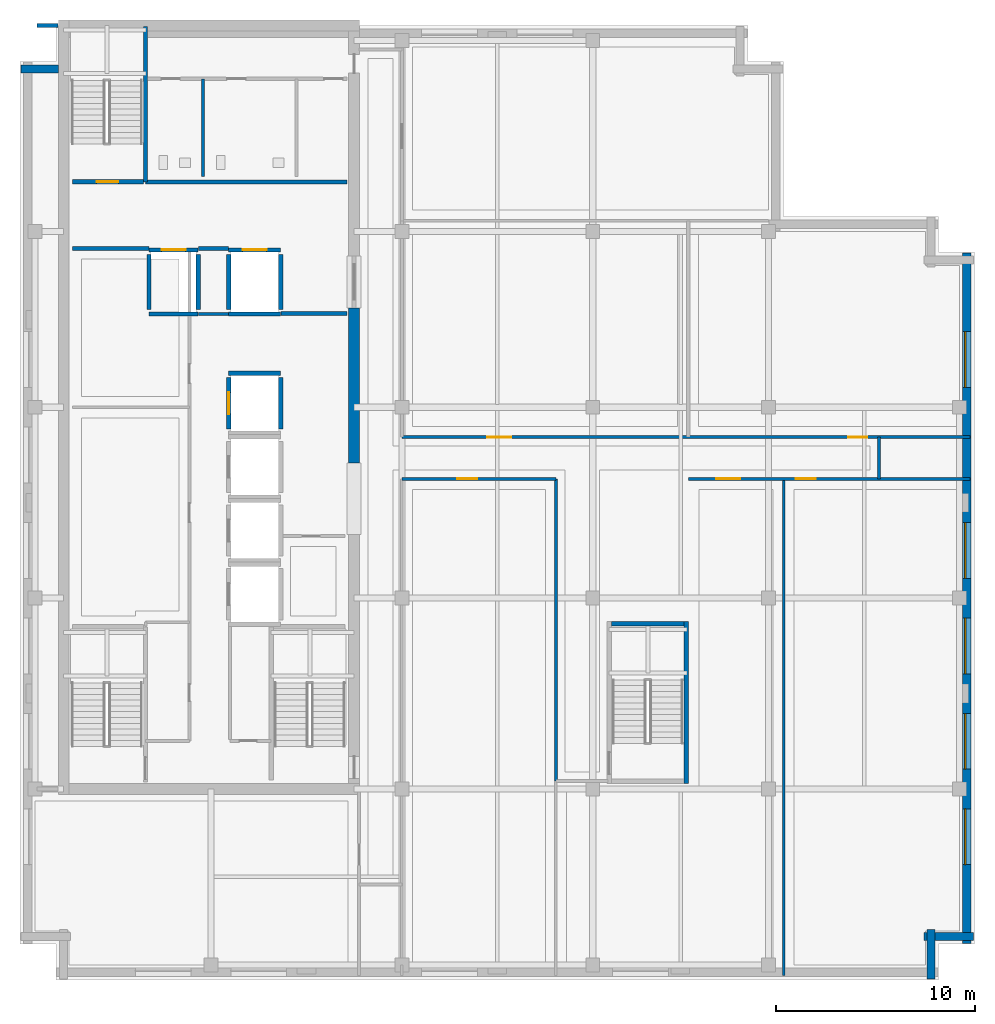
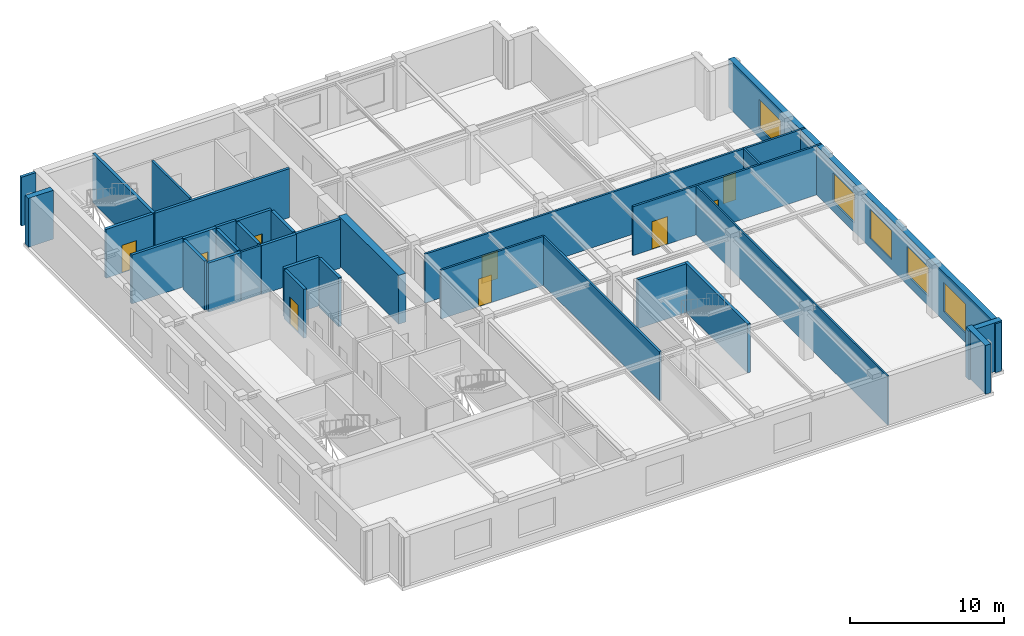
# One storey, part 4 of 10: 33 walls, 9 doors, 5 windows, 14 openings.
"""IFC4 building model written with IfcOpenShell, lengths in metres."""

from ifc_helpers import new_model, si_unit, direction, frame, frame_2d, origin, place, context, subcontext, project, spatial, rectangle, extrude, material, layer, layer_set, type_object, element, fill, save


model = new_model("IFC4")

# Units and contexts
model_context = context("Model", 3, precision=1e-05, world=origin(), true_north=direction((0.0, 1.0)))
body_context = subcontext(model_context, "Body", "Model", "MODEL_VIEW")
ifc_project = project(units=[si_unit("LENGTHUNIT", "METRE"), si_unit("AREAUNIT", "SQUARE_METRE"), si_unit("VOLUMEUNIT", "CUBIC_METRE"), si_unit("PLANEANGLEUNIT", "RADIAN"), si_unit("MASSUNIT", "GRAM", prefix="KILO")], contexts=[model_context])

# Site, building, storey
site_placement = place(None, origin())
site = spatial("IfcSite", under=ifc_project, at=site_placement, CompositionType="ELEMENT")
building_placement = place(site_placement, origin())
building = spatial("IfcBuilding", under=site, at=building_placement, Name="Norrvale University Quadrangle", CompositionType="ELEMENT")
storey_placement = place(building_placement, frame((0.0, 0.0, 303.800048828125)))
storey = spatial("IfcBuildingStorey", under=building, at=storey_placement, Name="L77", CompositionType="ELEMENT", Elevation=303.800048828125)

# Walls
ifc_material_1 = material(Name="Buff Norman Clay Brick Masonry", Category="masonry")
ifc_layer_1 = layer(ifc_material_1, 0.419921875, Name="Buff Norman Clay Brick Masonry")
ifc_layer_set_1 = layer_set([ifc_layer_1], Name="Buff Norman Clay Brick Masonry")
wall_type_1 = type_object("IfcWallType", Name="Wall Buff Brick 420", PredefinedType="SOLIDWALL", material=ifc_layer_set_1)
for number, where, z_axis, x_axis, name in (
    (1, (45.81005859375, 0.0400390625, 0.0), (0.0, 0.0, 1.0), (0.0, 1.0, 0.0), "Exterior Brick Facade Wall L77-02.1"),
    (2, (45.4599609375, 2.18994140625, 0.0), (0.0, 0.0, 1.0), (1.0, 0.0, 0.0), "Exterior Brick Facade Wall L77-03.1"),
):
    element("IfcWall", number, at=place(storey_placement, frame(where, z_axis=z_axis, x_axis=x_axis)), inside=storey, type_object=wall_type_1, Name=name, PredefinedType="SOLIDWALL", context=body_context, shape_type="SweptSolid", body=[
        extrude(rectangle(XDim=2.5, YDim=0.419921875, at=frame_2d((1.25, 0.0))), origin(), (0.0, 0.0, 1.0), 3.8798828125),
    ])

# Wall, openings, windows
wall_1_placement = place(storey_placement, frame((47.610107421875, 1.840087890625, 0.0), z_axis=(0.0, 0.0, 1.0), x_axis=(0.0, 1.0, 0.0)))
wall_1 = element("IfcWall", 3, at=wall_1_placement, inside=storey, type_object=wall_type_1, Name="Exterior Brick Facade Wall L77-04.1", PredefinedType="SOLIDWALL", context=body_context, shape_type="SweptSolid", body=[
    extrude(rectangle(XDim=34.719970703125, YDim=0.419921875, at=frame_2d((17.35986328125, 0.0))), origin(), (0.0, 0.0, 1.0), 3.8798828125),
])
opening_1_placement = place(wall_1_placement, frame((3.9599609375, 0.0, 0.75)))
opening_1 = element("IfcOpeningElement", 4, at=opening_1_placement, cuts=wall_1, Name="Opening W05", PredefinedType="OPENING", context=body_context, shape_type="SweptSolid", body=[
    extrude(rectangle(XDim=2.800048828125, YDim=2.300048828125, at=frame_2d((1.39990234375, 1.14990234375))), frame((0.0, 0.221923828125, 0.0), z_axis=(0.0, -1.0, 0.0), x_axis=(1.0, 0.0, 0.0)), (0.0, 0.0, 1.0), 0.44384765625),
])
opening_2_placement = place(wall_1_placement, frame((8.760009765625, 0.0, 0.75)))
opening_2 = element("IfcOpeningElement", 5, at=opening_2_placement, cuts=wall_1, Name="Opening W05", PredefinedType="OPENING", context=body_context, shape_type="SweptSolid", body=[
    extrude(rectangle(XDim=2.800048828125, YDim=2.300048828125, at=frame_2d((1.39990234375, 1.14990234375))), frame((0.0, 0.221923828125, 0.0), z_axis=(0.0, -1.0, 0.0), x_axis=(1.0, 0.0, 0.0)), (0.0, 0.0, 1.0), 0.44384765625),
])
opening_3_placement = place(wall_1_placement, frame((13.56005859375, 0.0, 0.75)))
opening_3 = element("IfcOpeningElement", 6, at=opening_3_placement, cuts=wall_1, Name="Opening W05", PredefinedType="OPENING", context=body_context, shape_type="SweptSolid", body=[
    extrude(rectangle(XDim=2.800048828125, YDim=2.300048828125, at=frame_2d((1.39990234375, 1.14990234375))), frame((0.0, 0.221923828125, 0.0), z_axis=(0.0, -1.0, 0.0), x_axis=(1.0, 0.0, 0.0)), (0.0, 0.0, 1.0), 0.44384765625),
])
opening_4_placement = place(wall_1_placement, frame((18.360107421875, 0.0, 0.75)))
opening_4 = element("IfcOpeningElement", 7, at=opening_4_placement, cuts=wall_1, Name="Opening W05", PredefinedType="OPENING", context=body_context, shape_type="SweptSolid", body=[
    extrude(rectangle(XDim=2.800048828125, YDim=2.300048828125, at=frame_2d((1.39990234375, 1.14990234375))), frame((0.0, 0.221923828125, 0.0), z_axis=(0.0, -1.0, 0.0), x_axis=(1.0, 0.0, 0.0)), (0.0, 0.0, 1.0), 0.44384765625),
])
opening_5_placement = place(wall_1_placement, frame((27.9599609375, 0.0, 0.75)))
opening_5 = element("IfcOpeningElement", 8, at=opening_5_placement, cuts=wall_1, Name="Opening W05", PredefinedType="OPENING", context=body_context, shape_type="SweptSolid", body=[
    extrude(rectangle(XDim=2.800048828125, YDim=2.300048828125, at=frame_2d((1.39990234375, 1.14990234375))), frame((0.0, 0.221923828125, 0.0), z_axis=(0.0, -1.0, 0.0), x_axis=(1.0, 0.0, 0.0)), (0.0, 0.0, 1.0), 0.44384765625),
])
ifc_material_2 = material(Name="Bird-Friendly Fritted Triple Glazing", Category="glass")
window_type = type_object("IfcWindowType", Name="Window Podium 2800x2800", PartitioningType="TRIPLE_PANEL_VERTICAL", PredefinedType="WINDOW", material=ifc_material_2)
window_1_placement = place(opening_1_placement, origin())
window_1 = element("IfcWindow", 9, at=window_1_placement, inside=storey, type_object=window_type, Name="Window Podium 2800x2800 WIN-L77-E04-1-01", OverallHeight=2.300048828125, OverallWidth=2.800048828125, PartitioningType="TRIPLE_PANEL_VERTICAL", PredefinedType="WINDOW", context=body_context, shape_type="SweptSolid", body=[
    extrude(rectangle(XDim=2.800048828125, YDim=2.300048828125, at=frame_2d((1.39990234375, 1.14990234375))), frame((0.0, 0.110107421875, 0.0), z_axis=(0.0, -1.0, 0.0), x_axis=(1.0, 0.0, 0.0)), (0.0, 0.0, 1.0), 0.06005859375),
])
fill(opening_1, window_1)
window_2_placement = place(opening_2_placement, origin())
window_2 = element("IfcWindow", 10, at=window_2_placement, inside=storey, type_object=window_type, Name="Window Podium 2800x2800 WIN-L77-E04-1-02", OverallHeight=2.300048828125, OverallWidth=2.800048828125, PartitioningType="TRIPLE_PANEL_VERTICAL", PredefinedType="WINDOW", context=body_context, shape_type="SweptSolid", body=[
    extrude(rectangle(XDim=2.800048828125, YDim=2.300048828125, at=frame_2d((1.39990234375, 1.14990234375))), frame((0.0, 0.110107421875, 0.0), z_axis=(0.0, -1.0, 0.0), x_axis=(1.0, 0.0, 0.0)), (0.0, 0.0, 1.0), 0.06005859375),
])
fill(opening_2, window_2)
window_3_placement = place(opening_3_placement, origin())
window_3 = element("IfcWindow", 11, at=window_3_placement, inside=storey, type_object=window_type, Name="Window Podium 2800x2800 WIN-L77-E04-1-03", OverallHeight=2.300048828125, OverallWidth=2.800048828125, PartitioningType="TRIPLE_PANEL_VERTICAL", PredefinedType="WINDOW", context=body_context, shape_type="SweptSolid", body=[
    extrude(rectangle(XDim=2.800048828125, YDim=2.300048828125, at=frame_2d((1.39990234375, 1.14990234375))), frame((0.0, 0.110107421875, 0.0), z_axis=(0.0, -1.0, 0.0), x_axis=(1.0, 0.0, 0.0)), (0.0, 0.0, 1.0), 0.06005859375),
])
fill(opening_3, window_3)
window_4_placement = place(opening_4_placement, origin())
window_4 = element("IfcWindow", 12, at=window_4_placement, inside=storey, type_object=window_type, Name="Window Podium 2800x2800 WIN-L77-E04-1-04", OverallHeight=2.300048828125, OverallWidth=2.800048828125, PartitioningType="TRIPLE_PANEL_VERTICAL", PredefinedType="WINDOW", context=body_context, shape_type="SweptSolid", body=[
    extrude(rectangle(XDim=2.800048828125, YDim=2.300048828125, at=frame_2d((1.39990234375, 1.14990234375))), frame((0.0, 0.110107421875, 0.0), z_axis=(0.0, -1.0, 0.0), x_axis=(1.0, 0.0, 0.0)), (0.0, 0.0, 1.0), 0.06005859375),
])
fill(opening_4, window_4)
window_5_placement = place(opening_5_placement, origin())
window_5 = element("IfcWindow", 13, at=window_5_placement, inside=storey, type_object=window_type, Name="Window Podium 2800x2800 WIN-L77-E04-1-05", OverallHeight=2.300048828125, OverallWidth=2.800048828125, PartitioningType="TRIPLE_PANEL_VERTICAL", PredefinedType="WINDOW", context=body_context, shape_type="SweptSolid", body=[
    extrude(rectangle(XDim=2.800048828125, YDim=2.300048828125, at=frame_2d((1.39990234375, 1.14990234375))), frame((0.0, 0.110107421875, 0.0), z_axis=(0.0, -1.0, 0.0), x_axis=(1.0, 0.0, 0.0)), (0.0, 0.0, 1.0), 0.06005859375),
])
fill(opening_5, window_5)

# Walls
wall_2_placement = place(storey_placement, frame((1.925048828125, 45.81005859375, 0.0), z_axis=(0.0, 0.0, 1.0), x_axis=(-1.0, 0.0, 0.0)))
element("IfcWall", 14, at=wall_2_placement, inside=storey, type_object=wall_type_1, Name="Exterior Brick Facade Wall L77-13.1", PredefinedType="SOLIDWALL", context=body_context, shape_type="SweptSolid", body=[
    extrude(rectangle(XDim=1.885009765625, YDim=0.419921875, at=frame_2d((0.9423828125, 0.0))), origin(), (0.0, 0.0, 1.0), 3.8798828125),
])
ifc_material_3 = material(Name="Concrete C60/75", Category="concrete")
ifc_layer_2 = layer(ifc_material_3, 0.550048828125, Name="Concrete C60/75")
ifc_layer_set_2 = layer_set([ifc_layer_2], Name="Concrete C60/75")
wall_type_2 = type_object("IfcWallType", Name="Wall Core 550", PredefinedType="SHEAR", material=ifc_layer_set_2)
wall_3_placement = place(storey_placement, frame((16.800048828125, 26.0, 0.0), z_axis=(0.0, 0.0, 1.0), x_axis=(0.0, 1.0, 0.0)))
element("IfcWall", 15, at=wall_3_placement, inside=storey, type_object=wall_type_2, Name="Tower Core Shear Wall L77-E2", PredefinedType="SHEAR", context=body_context, shape_type="SweptSolid", body=[
    extrude(rectangle(XDim=7.800048828125, YDim=0.550048828125, at=frame_2d((3.89990234375, 0.0))), origin(), (0.0, 0.0, 1.0), 3.8798828125),
])
ifc_material_4 = material(Name="Standard Academic Gypsum Partition")
ifc_layer_3 = layer(ifc_material_4, 0.125, Name="Standard Academic Gypsum Partition")
ifc_layer_set_3 = layer_set([ifc_layer_3], Name="Standard Academic Gypsum Partition")
wall_type_3 = type_object("IfcWallType", Name="Wall Gypsum Academic 125", PredefinedType="PARTITIONING", material=ifc_layer_set_3)
wall_4_placement = place(storey_placement, frame((38.39990234375, 0.219970703125, 0.0), z_axis=(0.0, 0.0, 1.0), x_axis=(0.0, 1.0, 0.0)))
element("IfcWall", 16, at=wall_4_placement, inside=storey, type_object=wall_type_3, Name="Interior Partition WL-L77-SEP2", PredefinedType="PARTITIONING", context=body_context, shape_type="SweptSolid", body=[
    extrude(rectangle(XDim=24.97998046875, YDim=0.125, at=frame_2d((12.489990234375, 0.0))), origin(), (0.0, 0.0, 1.0), 3.8798828125),
])
ifc_material_5 = material(Name="Fire-Rated Gypsum Stud Partition")
ifc_layer_4 = layer(ifc_material_5, 0.14990234375, Name="Fire-Rated Gypsum Stud Partition")
ifc_layer_set_4 = layer_set([ifc_layer_4], Name="Fire-Rated Gypsum Stud Partition")
wall_type_4 = type_object("IfcWallType", Name="Wall Gypsum Corridor 150", PredefinedType="PARTITIONING", material=ifc_layer_set_4)
wall_5_placement = place(storey_placement, frame((8.965087890625, 33.489990234375, 0.0), z_axis=(0.0, 0.0, 1.0), x_axis=(1.0, 0.0, 0.0)))
element("IfcWall", 17, at=wall_5_placement, inside=storey, type_object=wall_type_4, Name="Interior Partition WL-L77-LL3", PredefinedType="PARTITIONING", context=body_context, shape_type="SweptSolid", body=[
    extrude(rectangle(XDim=1.52001953125, YDim=0.14990234375, at=frame_2d((0.760009765625, 0.0))), origin(), (0.0, 0.0, 1.0), 3.8798828125),
])
wall_6_placement = place(storey_placement, frame((43.199951171875, 25.199951171875, 0.0), z_axis=(0.0, 0.0, 1.0), x_axis=(0.0, 1.0, 0.0)))
element("IfcWall", 18, at=wall_6_placement, inside=storey, type_object=wall_type_4, Name="Interior Partition WL-L77-CESP-E", PredefinedType="PARTITIONING", context=body_context, shape_type="SweptSolid", body=[
    extrude(rectangle(XDim=2.10009765625, YDim=0.14990234375, at=frame_2d((1.050048828125, 0.0))), origin(), (0.0, 0.0, 1.0), 3.8798828125),
])

# Wall, opening, door
wall_7_placement = place(storey_placement, frame((19.199951171875, 25.199951171875, 0.0), z_axis=(0.0, 0.0, 1.0), x_axis=(1.0, 0.0, 0.0)))
wall_7 = element("IfcWall", 19, at=wall_7_placement, inside=storey, type_object=wall_type_4, Name="Interior Partition WL-L77-SEW1", PredefinedType="PARTITIONING", context=body_context, shape_type="SweptSolid", body=[
    extrude(rectangle(XDim=7.75, YDim=0.14990234375, at=frame_2d((3.875, 0.0))), origin(), (0.0, 0.0, 1.0), 3.8798828125),
])
opening_6_placement = place(wall_7_placement, frame((2.800048828125, 0.0, 0.0)))
opening_6 = element("IfcOpeningElement", 20, at=opening_6_placement, cuts=wall_7, Name="Opening D04", PredefinedType="OPENING", context=body_context, shape_type="SweptSolid", body=[
    extrude(rectangle(XDim=1.0, YDim=2.199951171875, at=frame_2d((0.5, 1.10009765625))), frame((0.0, 0.0869140625, 0.0), z_axis=(0.0, -1.0, 0.0), x_axis=(1.0, 0.0, 0.0)), (0.0, 0.0, 1.0), 0.173828125),
])
ifc_material_6 = material(Name="Solid-Core Oak Fire Door", Category="wood")
door_type_1 = type_object("IfcDoorType", Name="Door Corridor 1000x2200", OperationType="NOTDEFINED", PredefinedType="DOOR", material=ifc_material_6)
door_1_placement = place(opening_6_placement, origin())
door_1 = element("IfcDoor", 21, at=door_1_placement, inside=storey, type_object=door_type_1, Name="Door Corridor 1000x2200 DR-L77-SE1", OperationType="SINGLE_SWING_LEFT", OverallHeight=2.199951171875, OverallWidth=1.0, PredefinedType="DOOR", context=body_context, shape_type="SweptSolid", body=[
    extrude(rectangle(XDim=1.0, YDim=2.199951171875, at=frame_2d((0.5, 1.10009765625))), frame((0.0, 0.02490234375, 0.0), z_axis=(0.0, -1.0, 0.0), x_axis=(1.0, 0.0, 0.0)), (0.0, 0.0, 1.0), 0.050048828125),
])
fill(opening_6, door_1)

# Wall
wall_8_placement = place(storey_placement, frame((26.949951171875, 10.0, 0.0), z_axis=(0.0, 0.0, 1.0), x_axis=(0.0, 1.0, 0.0)))
element("IfcWall", 22, at=wall_8_placement, inside=storey, type_object=wall_type_4, Name="Interior Partition WL-L77-SEP1B", PredefinedType="PARTITIONING", context=body_context, shape_type="SweptSolid", body=[
    extrude(rectangle(XDim=15.199951171875, YDim=0.14990234375, at=frame_2d((7.60009765625, 0.0))), origin(), (0.0, 0.0, 1.0), 3.8798828125),
])

# Wall, openings, doors
wall_9_placement = place(storey_placement, frame((33.6201171875, 25.199951171875, 0.0), z_axis=(0.0, 0.0, 1.0), x_axis=(1.0, 0.0, 0.0)))
wall_9 = element("IfcWall", 23, at=wall_9_placement, inside=storey, type_object=wall_type_4, Name="Interior Partition WL-L77-SEW2", PredefinedType="PARTITIONING", context=body_context, shape_type="SweptSolid", body=[
    extrude(rectangle(XDim=14.159912109375, YDim=0.14990234375, at=frame_2d((7.080078125, 0.0))), origin(), (0.0, 0.0, 1.0), 3.8798828125),
])
opening_7_placement = place(wall_9_placement, frame((1.39990234375, 0.0, 0.0)))
opening_7 = element("IfcOpeningElement", 24, at=opening_7_placement, cuts=wall_9, Name="Opening D05", PredefinedType="OPENING", context=body_context, shape_type="SweptSolid", body=[
    extrude(rectangle(XDim=1.199951171875, YDim=2.199951171875, at=frame_2d((0.60009765625, 1.10009765625))), frame((0.0, 0.0869140625, 0.0), z_axis=(0.0, -1.0, 0.0), x_axis=(1.0, 0.0, 0.0)), (0.0, 0.0, 1.0), 0.173828125),
])
opening_8_placement = place(wall_9_placement, frame((5.39990234375, 0.0, 0.0)))
opening_8 = element("IfcOpeningElement", 25, at=opening_8_placement, cuts=wall_9, Name="Opening D04", PredefinedType="OPENING", context=body_context, shape_type="SweptSolid", body=[
    extrude(rectangle(XDim=1.0, YDim=2.199951171875, at=frame_2d((0.5, 1.10009765625))), frame((0.0, 0.0869140625, 0.0), z_axis=(0.0, -1.0, 0.0), x_axis=(1.0, 0.0, 0.0)), (0.0, 0.0, 1.0), 0.173828125),
])
ifc_material_7 = material(Name="Acoustic Oak Classroom Door", Category="wood")
door_type_2 = type_object("IfcDoorType", Name="Door Classroom 1200x2200", OperationType="NOTDEFINED", PredefinedType="DOOR", material=ifc_material_7)
door_2_placement = place(opening_7_placement, origin())
door_2 = element("IfcDoor", 26, at=door_2_placement, inside=storey, type_object=door_type_2, Name="Door Classroom 1200x2200 DR-L77-SE2", OperationType="SINGLE_SWING_RIGHT", OverallHeight=2.199951171875, OverallWidth=1.199951171875, PredefinedType="DOOR", context=body_context, shape_type="SweptSolid", body=[
    extrude(rectangle(XDim=1.199951171875, YDim=2.199951171875, at=frame_2d((0.60009765625, 1.10009765625))), frame((0.0, 0.02490234375, 0.0), z_axis=(0.0, -1.0, 0.0), x_axis=(1.0, 0.0, 0.0)), (0.0, 0.0, 1.0), 0.050048828125),
])
fill(opening_7, door_2)
door_3_placement = place(opening_8_placement, origin())
door_3 = element("IfcDoor", 27, at=door_3_placement, inside=storey, type_object=door_type_1, Name="Door Corridor 1000x2200 DR-L77-SE3", OperationType="SINGLE_SWING_LEFT", OverallHeight=2.199951171875, OverallWidth=1.0, PredefinedType="DOOR", context=body_context, shape_type="SweptSolid", body=[
    extrude(rectangle(XDim=1.0, YDim=2.199951171875, at=frame_2d((0.5, 1.10009765625))), frame((0.0, 0.02490234375, 0.0), z_axis=(0.0, -1.0, 0.0), x_axis=(1.0, 0.0, 0.0)), (0.0, 0.0, 1.0), 0.050048828125),
])
fill(opening_8, door_3)

wall_10_placement = place(storey_placement, frame((19.199951171875, 27.300048828125, 0.0), z_axis=(0.0, 0.0, 1.0), x_axis=(1.0, 0.0, 0.0)))
wall_10 = element("IfcWall", 28, at=wall_10_placement, inside=storey, type_object=wall_type_4, Name="Interior Partition WL-L77-MECW", PredefinedType="PARTITIONING", context=body_context, shape_type="SweptSolid", body=[
    extrude(rectangle(XDim=28.580078125, YDim=0.14990234375, at=frame_2d((14.2900390625, 0.0))), origin(), (0.0, 0.0, 1.0), 3.8798828125),
])
opening_9_placement = place(wall_10_placement, frame((4.300048828125, 0.0, 0.0)))
opening_9 = element("IfcOpeningElement", 29, at=opening_9_placement, cuts=wall_10, Name="Opening D05", PredefinedType="OPENING", context=body_context, shape_type="SweptSolid", body=[
    extrude(rectangle(XDim=1.199951171875, YDim=2.199951171875, at=frame_2d((0.60009765625, 1.10009765625))), frame((0.0, 0.0869140625, 0.0), z_axis=(0.0, -1.0, 0.0), x_axis=(1.0, 0.0, 0.0)), (0.0, 0.0, 1.0), 0.173828125),
])
opening_10_placement = place(wall_10_placement, frame((22.449951171875, 0.0, 0.0)))
opening_10 = element("IfcOpeningElement", 30, at=opening_10_placement, cuts=wall_10, Name="Opening D07", PredefinedType="OPENING", context=body_context, shape_type="SweptSolid", body=[
    extrude(rectangle(XDim=0.949951171875, YDim=2.14990234375, at=frame_2d((0.47509765625, 1.074951171875))), frame((0.0, 0.0869140625, 0.0), z_axis=(0.0, -1.0, 0.0), x_axis=(1.0, 0.0, 0.0)), (0.0, 0.0, 1.0), 0.173828125),
])
door_4_placement = place(opening_9_placement, origin())
door_4 = element("IfcDoor", 31, at=door_4_placement, inside=storey, type_object=door_type_2, Name="Door Classroom 1200x2200 DR-L77-ME01", OperationType="SINGLE_SWING_LEFT", OverallHeight=2.199951171875, OverallWidth=1.199951171875, PredefinedType="DOOR", context=body_context, shape_type="SweptSolid", body=[
    extrude(rectangle(XDim=1.199951171875, YDim=2.199951171875, at=frame_2d((0.60009765625, 1.10009765625))), frame((0.0, 0.02490234375, 0.0), z_axis=(0.0, -1.0, 0.0), x_axis=(1.0, 0.0, 0.0)), (0.0, 0.0, 1.0), 0.050048828125),
])
fill(opening_9, door_4)
ifc_material_8 = material(Name="Solid-Core Maple Door", Category="wood")
door_type_3 = type_object("IfcDoorType", Name="Door Office 950x2150", OperationType="NOTDEFINED", PredefinedType="DOOR", material=ifc_material_8)
door_5_placement = place(opening_10_placement, origin())
door_5 = element("IfcDoor", 32, at=door_5_placement, inside=storey, type_object=door_type_3, Name="Door Office 950x2150 DR-L77-ME02", OperationType="SINGLE_SWING_RIGHT", OverallHeight=2.14990234375, OverallWidth=0.949951171875, PredefinedType="DOOR", context=body_context, shape_type="SweptSolid", body=[
    extrude(rectangle(XDim=0.949951171875, YDim=2.14990234375, at=frame_2d((0.47509765625, 1.074951171875))), frame((0.0, 0.02490234375, 0.0), z_axis=(0.0, -1.0, 0.0), x_axis=(1.0, 0.0, 0.0)), (0.0, 0.0, 1.0), 0.050048828125),
])
fill(opening_10, door_5)

# Walls
ifc_material_9 = material(Name="Sanitary Chase Gypsum Partition")
ifc_layer_5 = layer(ifc_material_9, 0.1650390625, Name="Sanitary Chase Gypsum Partition")
ifc_layer_set_5 = layer_set([ifc_layer_5], Name="Sanitary Chase Gypsum Partition")
wall_type_5 = type_object("IfcWallType", Name="Wall Gypsum Sanitary 165", PredefinedType="PLUMBINGWALL", material=ifc_layer_set_5)
wall_11_placement = place(storey_placement, frame((9.199951171875, 40.39990234375, 0.0), z_axis=(0.0, 0.0, 1.0), x_axis=(0.0, 1.0, 0.0)))
element("IfcWall", 33, at=wall_11_placement, inside=storey, type_object=wall_type_5, Name="Interior Partition WL-L77-WCM1", PredefinedType="PLUMBINGWALL", context=body_context, shape_type="SweptSolid", body=[
    extrude(rectangle(XDim=4.920166015625, YDim=0.1650390625, at=frame_2d((2.4599609375, 0.0))), origin(), (0.0, 0.0, 1.0), 3.8798828125),
])
ifc_material_10 = material(Name="Concrete Blockwork 20 MPa Rated Wall", Category="masonry")
ifc_layer_6 = layer(ifc_material_10, 0.199951171875, Name="Concrete Blockwork 20 MPa Rated Wall")
ifc_layer_set_6 = layer_set([ifc_layer_6], Name="Concrete Blockwork 20 MPa Rated Wall")
wall_type_6 = type_object("IfcWallType", Name="Wall Lobby 200", PredefinedType="SOLIDWALL", material=ifc_layer_set_6)
wall_12_placement = place(storey_placement, frame((2.64990234375, 36.780029296875, 0.0), z_axis=(0.0, 0.0, 1.0), x_axis=(1.0, 0.0, 0.0)))
element("IfcWall", 34, at=wall_12_placement, inside=storey, type_object=wall_type_6, Name="Interior Partition WL-L77-FF1", PredefinedType="SOLIDWALL", context=body_context, shape_type="SweptSolid", body=[
    extrude(rectangle(XDim=3.830078125, YDim=0.199951171875, at=frame_2d((1.9150390625, 0.0))), origin(), (0.0, 0.0, 1.0), 3.8798828125),
])
wall_13_placement = place(storey_placement, frame((8.969970703125, 36.780029296875, 0.0), z_axis=(0.0, 0.0, 1.0), x_axis=(1.0, 0.0, 0.0)))
element("IfcWall", 35, at=wall_13_placement, inside=storey, type_object=wall_type_6, Name="Interior Partition WL-L77-FF2", PredefinedType="SOLIDWALL", context=body_context, shape_type="SweptSolid", body=[
    extrude(rectangle(XDim=1.510009765625, YDim=0.199951171875, at=frame_2d((0.7548828125, 0.0))), origin(), (0.0, 0.0, 1.0), 3.8798828125),
])
wall_14_placement = place(storey_placement, frame((13.1201171875, 33.52001953125, 0.0), z_axis=(0.0, 0.0, 1.0), x_axis=(1.0, 0.0, 0.0)))
element("IfcWall", 36, at=wall_14_placement, inside=storey, type_object=wall_type_6, Name="Interior Partition WL-L77-FF3", PredefinedType="SOLIDWALL", context=body_context, shape_type="SweptSolid", body=[
    extrude(rectangle(XDim=3.329833984375, YDim=0.199951171875, at=frame_2d((1.6650390625, 0.0))), origin(), (0.0, 0.0, 1.0), 3.8798828125),
])
wall_15_placement = place(storey_placement, frame((6.320068359375, 40.139892578125, 0.0), z_axis=(0.0, 0.0, 1.0), x_axis=(1.0, 0.0, 0.0)))
element("IfcWall", 37, at=wall_15_placement, inside=storey, type_object=wall_type_6, Name="Interior Partition WL-L77-FF4", PredefinedType="SOLIDWALL", context=body_context, shape_type="SweptSolid", body=[
    extrude(rectangle(XDim=10.1298828125, YDim=0.199951171875, at=frame_2d((5.06494140625, 0.0))), origin(), (0.0, 0.0, 1.0), 3.8798828125),
])
wall_16_placement = place(storey_placement, frame((0.85009765625, 48.0, 0.0), z_axis=(0.0, 0.0, 1.0), x_axis=(1.0, 0.0, 0.0)))
element("IfcWall", 38, at=wall_16_placement, inside=storey, type_object=wall_type_6, Name="Interior Partition WL-L77-CWRET-N", PredefinedType="SOLIDWALL", context=body_context, shape_type="SweptSolid", body=[
    extrude(rectangle(XDim=1.06982421875, YDim=0.199951171875, at=frame_2d((0.534912109375, 0.0))), origin(), (0.0, 0.0, 1.0), 3.8798828125),
])

# Wall, opening, door
ifc_material_11 = material(Name="Concrete Blockwork 20 MPa Fire Shaft", Category="masonry")
ifc_layer_7 = layer(ifc_material_11, 0.219970703125, Name="Concrete Blockwork 20 MPa Fire Shaft")
ifc_layer_set_7 = layer_set([ifc_layer_7], Name="Concrete Blockwork 20 MPa Fire Shaft")
wall_type_7 = type_object("IfcWallType", Name="Wall Shaft 220", PredefinedType="SOLIDWALL", material=ifc_layer_set_7)
wall_17_placement = place(storey_placement, frame((2.64990234375, 40.139892578125, 0.0), z_axis=(0.0, 0.0, 1.0), x_axis=(1.0, 0.0, 0.0)))
wall_17 = element("IfcWall", 39, at=wall_17_placement, inside=storey, type_object=wall_type_7, Name="Stair ST-02 South Shaft Wall L77", PredefinedType="SOLIDWALL", context=body_context, shape_type="SweptSolid", body=[
    extrude(rectangle(XDim=3.550048828125, YDim=0.219970703125, at=frame_2d((1.77490234375, 0.0))), origin(), (0.0, 0.0, 1.0), 3.8798828125),
])
opening_11_placement = place(wall_17_placement, frame((1.199951171875, 0.0, 0.0)))
opening_11 = element("IfcOpeningElement", 40, at=opening_11_placement, cuts=wall_17, Name="Opening D02", PredefinedType="OPENING", context=body_context, shape_type="SweptSolid", body=[
    extrude(rectangle(XDim=1.10009765625, YDim=2.199951171875, at=frame_2d((0.550048828125, 1.10009765625))), frame((0.0, 0.1220703125, 0.0), z_axis=(0.0, -1.0, 0.0), x_axis=(1.0, 0.0, 0.0)), (0.0, 0.0, 1.0), 0.243896484375),
])
ifc_material_12 = material(Name="Hollow Steel 350W Fire Door", Category="steel")
door_type_4 = type_object("IfcDoorType", Name="Door Stair Exit 1100x2200", OperationType="NOTDEFINED", PredefinedType="DOOR", material=ifc_material_12)
door_6_placement = place(opening_11_placement, origin())
door_6 = element("IfcDoor", 41, at=door_6_placement, inside=storey, type_object=door_type_4, Name="Door Stair Exit 1100x2200 DR-L77-ST02", OperationType="SINGLE_SWING_LEFT", OverallHeight=2.199951171875, OverallWidth=1.10009765625, PredefinedType="DOOR", context=body_context, shape_type="SweptSolid", body=[
    extrude(rectangle(XDim=1.10009765625, YDim=2.199951171875, at=frame_2d((0.550048828125, 1.10009765625))), frame((0.0, 0.02490234375, 0.0), z_axis=(0.0, -1.0, 0.0), x_axis=(1.0, 0.0, 0.0)), (0.0, 0.0, 1.0), 0.050048828125),
])
fill(opening_11, door_6)

# Walls
wall_18_placement = place(storey_placement, frame((6.31005859375, 40.139892578125, 0.0), z_axis=(0.0, 0.0, 1.0), x_axis=(0.0, 1.0, 0.0)))
element("IfcWall", 42, at=wall_18_placement, inside=storey, type_object=wall_type_7, Name="Stair ST-02 East Shaft Wall L77", PredefinedType="SOLIDWALL", context=body_context, shape_type="SweptSolid", body=[
    extrude(rectangle(XDim=7.81005859375, YDim=0.219970703125, at=frame_2d((3.905029296875, 0.0))), origin(), (0.0, 0.0, 1.0), 3.8798828125),
])
wall_19_placement = place(storey_placement, frame((33.510009765625, 9.8798828125, 0.0), z_axis=(0.0, 0.0, 1.0), x_axis=(0.0, 1.0, 0.0)))
element("IfcWall", 43, at=wall_19_placement, inside=storey, type_object=wall_type_7, Name="Stair ST-04 East Shaft Wall L77", PredefinedType="SOLIDWALL", context=body_context, shape_type="SweptSolid", body=[
    extrude(rectangle(XDim=8.14013671875, YDim=0.219970703125, at=frame_2d((4.070068359375, 0.0))), origin(), (0.0, 0.0, 1.0), 3.8798828125),
])
wall_20_placement = place(storey_placement, frame((29.75, 17.909912109375, 0.0), z_axis=(0.0, 0.0, 1.0), x_axis=(1.0, 0.0, 0.0)))
element("IfcWall", 44, at=wall_20_placement, inside=storey, type_object=wall_type_7, Name="Stair ST-04 North Shaft Wall L77", PredefinedType="SOLIDWALL", context=body_context, shape_type="SweptSolid", body=[
    extrude(rectangle(XDim=3.64990234375, YDim=0.219970703125, at=frame_2d((1.824951171875, 0.0))), origin(), (0.0, 0.0, 1.0), 3.8798828125),
])

# Wall, opening, door
wall_21_placement = place(storey_placement, frame((10.489990234375, 27.7099609375, 0.0), z_axis=(0.0, 0.0, 1.0), x_axis=(0.0, 1.0, 0.0)))
wall_21 = element("IfcWall", 45, at=wall_21_placement, inside=storey, type_object=wall_type_7, Name="Hoistway PL-08 West Wall L77", PredefinedType="SOLIDWALL", context=body_context, shape_type="SweptSolid", body=[
    extrude(rectangle(XDim=2.580078125, YDim=0.219970703125, at=frame_2d((1.2900390625, 0.0))), origin(), (0.0, 0.0, 1.0), 3.8798828125),
])
opening_12_placement = place(wall_21_placement, frame((0.739990234375, 0.0, 0.0)))
opening_12 = element("IfcOpeningElement", 46, at=opening_12_placement, cuts=wall_21, Name="Opening LD1", PredefinedType="OPENING", context=body_context, shape_type="SweptSolid", body=[
    extrude(rectangle(XDim=1.10009765625, YDim=2.199951171875, at=frame_2d((0.550048828125, 1.10009765625))), frame((0.0, 0.1220703125, 0.0), z_axis=(0.0, -1.0, 0.0), x_axis=(1.0, 0.0, 0.0)), (0.0, 0.0, 1.0), 0.243896484375),
])
ifc_material_13 = material(Name="Stainless Steel 316L Lift Landing Door", Category="steel")
door_type_5 = type_object("IfcDoorType", Name="Door Lift Landing 1100x2200", OperationType="DOUBLE_DOOR_SLIDING", PredefinedType="DOOR", material=ifc_material_13)
door_7_placement = place(opening_12_placement, origin())
door_7 = element("IfcDoor", 47, at=door_7_placement, inside=storey, type_object=door_type_5, Name="Elevator Landing Door DR-L77-PL-08", OperationType="DOUBLE_DOOR_SLIDING", OverallHeight=2.199951171875, OverallWidth=1.10009765625, PredefinedType="DOOR", context=body_context, shape_type="SweptSolid", body=[
    extrude(rectangle(XDim=1.10009765625, YDim=2.199951171875, at=frame_2d((0.550048828125, 1.10009765625))), frame((0.0, 0.02490234375, 0.0), z_axis=(0.0, -1.0, 0.0), x_axis=(1.0, 0.0, 0.0)), (0.0, 0.0, 1.0), 0.050048828125),
])
fill(opening_12, door_7)

# Walls
wall_22_placement = place(storey_placement, frame((13.110107421875, 27.7099609375, 0.0), z_axis=(0.0, 0.0, 1.0), x_axis=(0.0, 1.0, 0.0)))
element("IfcWall", 48, at=wall_22_placement, inside=storey, type_object=wall_type_7, Name="Hoistway PL-08 East Wall L77", PredefinedType="SOLIDWALL", context=body_context, shape_type="SweptSolid", body=[
    extrude(rectangle(XDim=2.580078125, YDim=0.219970703125, at=frame_2d((1.2900390625, 0.0))), origin(), (0.0, 0.0, 1.0), 3.8798828125),
])
wall_23_placement = place(storey_placement, frame((10.489990234375, 30.510009765625, 0.0), z_axis=(0.0, 0.0, 1.0), x_axis=(1.0, 0.0, 0.0)))
element("IfcWall", 49, at=wall_23_placement, inside=storey, type_object=wall_type_7, Name="Hoistway PL-08 North Wall L77", PredefinedType="SOLIDWALL", context=body_context, shape_type="SweptSolid", body=[
    extrude(rectangle(XDim=2.6201171875, YDim=0.219970703125, at=frame_2d((1.31005859375, 0.0))), origin(), (0.0, 0.0, 1.0), 3.8798828125),
])
for number, where, z_axis, x_axis, name in (
    (50, (6.489990234375, 33.7099609375, 0.0), (0.0, 0.0, 1.0), (0.0, 1.0, 0.0), "Hoistway FFL-01 West Wall L77"),
    (51, (8.9599609375, 33.7099609375, 0.0), (0.0, 0.0, 1.0), (0.0, 1.0, 0.0), "Hoistway FFL-01 East Wall L77"),
):
    element("IfcWall", number, at=place(storey_placement, frame(where, z_axis=z_axis, x_axis=x_axis)), inside=storey, type_object=wall_type_7, Name=name, PredefinedType="SOLIDWALL", context=body_context, shape_type="SweptSolid", body=[
        extrude(rectangle(XDim=2.780029296875, YDim=0.219970703125, at=frame_2d((1.39013671875, 0.0))), origin(), (0.0, 0.0, 1.0), 3.8798828125),
    ])
wall_24_placement = place(storey_placement, frame((6.489990234375, 33.489990234375, 0.0), z_axis=(0.0, 0.0, 1.0), x_axis=(1.0, 0.0, 0.0)))
element("IfcWall", 52, at=wall_24_placement, inside=storey, type_object=wall_type_7, Name="Hoistway FFL-01 South Wall L77", PredefinedType="SOLIDWALL", context=body_context, shape_type="SweptSolid", body=[
    extrude(rectangle(XDim=2.469970703125, YDim=0.219970703125, at=frame_2d((1.23486328125, 0.0))), origin(), (0.0, 0.0, 1.0), 3.8798828125),
])

# Wall, opening, door
wall_25_placement = place(storey_placement, frame((6.489990234375, 36.7099609375, 0.0), z_axis=(0.0, 0.0, 1.0), x_axis=(1.0, 0.0, 0.0)))
wall_25 = element("IfcWall", 53, at=wall_25_placement, inside=storey, type_object=wall_type_7, Name="Hoistway FFL-01 North Wall L77", PredefinedType="SOLIDWALL", context=body_context, shape_type="SweptSolid", body=[
    extrude(rectangle(XDim=2.469970703125, YDim=0.219970703125, at=frame_2d((1.23486328125, 0.0))), origin(), (0.0, 0.0, 1.0), 3.8798828125),
])
opening_13_placement = place(wall_25_placement, frame((0.635009765625, 0.0, 0.0)))
opening_13 = element("IfcOpeningElement", 54, at=opening_13_placement, cuts=wall_25, Name="Opening LD2", PredefinedType="OPENING", context=body_context, shape_type="SweptSolid", body=[
    extrude(rectangle(XDim=1.199951171875, YDim=2.199951171875, at=frame_2d((0.60009765625, 1.10009765625))), frame((0.0, 0.1220703125, 0.0), z_axis=(0.0, -1.0, 0.0), x_axis=(1.0, 0.0, 0.0)), (0.0, 0.0, 1.0), 0.243896484375),
])
ifc_material_14 = material(Name="Stainless Steel 316L Firefighter Lift Door", Category="steel")
door_type_6 = type_object("IfcDoorType", Name="Door Fire Lift 1200x2200", OperationType="DOUBLE_DOOR_SLIDING", PredefinedType="DOOR", material=ifc_material_14)
door_8_placement = place(opening_13_placement, origin())
door_8 = element("IfcDoor", 55, at=door_8_placement, inside=storey, type_object=door_type_6, Name="Elevator Landing Door DR-L77-FFL-01", OperationType="DOUBLE_DOOR_SLIDING", OverallHeight=2.199951171875, OverallWidth=1.199951171875, PredefinedType="DOOR", context=body_context, shape_type="SweptSolid", body=[
    extrude(rectangle(XDim=1.199951171875, YDim=2.199951171875, at=frame_2d((0.60009765625, 1.10009765625))), frame((0.0, 0.02490234375, 0.0), z_axis=(0.0, -1.0, 0.0), x_axis=(1.0, 0.0, 0.0)), (0.0, 0.0, 1.0), 0.050048828125),
])
fill(opening_13, door_8)

# Walls
for number, where, z_axis, x_axis, name in (
    (56, (10.489990234375, 33.7099609375, 0.0), (0.0, 0.0, 1.0), (0.0, 1.0, 0.0), "Hoistway FFL-02 West Wall L77"),
    (57, (13.110107421875, 33.7099609375, 0.0), (0.0, 0.0, 1.0), (0.0, 1.0, 0.0), "Hoistway FFL-02 East Wall L77"),
):
    element("IfcWall", number, at=place(storey_placement, frame(where, z_axis=z_axis, x_axis=x_axis)), inside=storey, type_object=wall_type_7, Name=name, PredefinedType="SOLIDWALL", context=body_context, shape_type="SweptSolid", body=[
        extrude(rectangle(XDim=2.780029296875, YDim=0.219970703125, at=frame_2d((1.39013671875, 0.0))), origin(), (0.0, 0.0, 1.0), 3.8798828125),
    ])
wall_26_placement = place(storey_placement, frame((10.489990234375, 33.489990234375, 0.0), z_axis=(0.0, 0.0, 1.0), x_axis=(1.0, 0.0, 0.0)))
element("IfcWall", 58, at=wall_26_placement, inside=storey, type_object=wall_type_7, Name="Hoistway FFL-02 South Wall L77", PredefinedType="SOLIDWALL", context=body_context, shape_type="SweptSolid", body=[
    extrude(rectangle(XDim=2.6201171875, YDim=0.219970703125, at=frame_2d((1.31005859375, 0.0))), origin(), (0.0, 0.0, 1.0), 3.8798828125),
])

# Wall, opening, door
wall_27_placement = place(storey_placement, frame((10.489990234375, 36.7099609375, 0.0), z_axis=(0.0, 0.0, 1.0), x_axis=(1.0, 0.0, 0.0)))
wall_27 = element("IfcWall", 59, at=wall_27_placement, inside=storey, type_object=wall_type_7, Name="Hoistway FFL-02 North Wall L77", PredefinedType="SOLIDWALL", context=body_context, shape_type="SweptSolid", body=[
    extrude(rectangle(XDim=2.6201171875, YDim=0.219970703125, at=frame_2d((1.31005859375, 0.0))), origin(), (0.0, 0.0, 1.0), 3.8798828125),
])
opening_14_placement = place(wall_27_placement, frame((0.7099609375, 0.0, 0.0)))
opening_14 = element("IfcOpeningElement", 60, at=opening_14_placement, cuts=wall_27, Name="Opening LD2", PredefinedType="OPENING", context=body_context, shape_type="SweptSolid", body=[
    extrude(rectangle(XDim=1.199951171875, YDim=2.199951171875, at=frame_2d((0.60009765625, 1.10009765625))), frame((0.0, 0.1220703125, 0.0), z_axis=(0.0, -1.0, 0.0), x_axis=(1.0, 0.0, 0.0)), (0.0, 0.0, 1.0), 0.243896484375),
])
door_9_placement = place(opening_14_placement, origin())
door_9 = element("IfcDoor", 61, at=door_9_placement, inside=storey, type_object=door_type_6, Name="Elevator Landing Door DR-L77-FFL-02", OperationType="DOUBLE_DOOR_SLIDING", OverallHeight=2.199951171875, OverallWidth=1.199951171875, PredefinedType="DOOR", context=body_context, shape_type="SweptSolid", body=[
    extrude(rectangle(XDim=1.199951171875, YDim=2.199951171875, at=frame_2d((0.60009765625, 1.10009765625))), frame((0.0, 0.02490234375, 0.0), z_axis=(0.0, -1.0, 0.0), x_axis=(1.0, 0.0, 0.0)), (0.0, 0.0, 1.0), 0.050048828125),
])
fill(opening_14, door_9)

save(model, "model.ifc")
